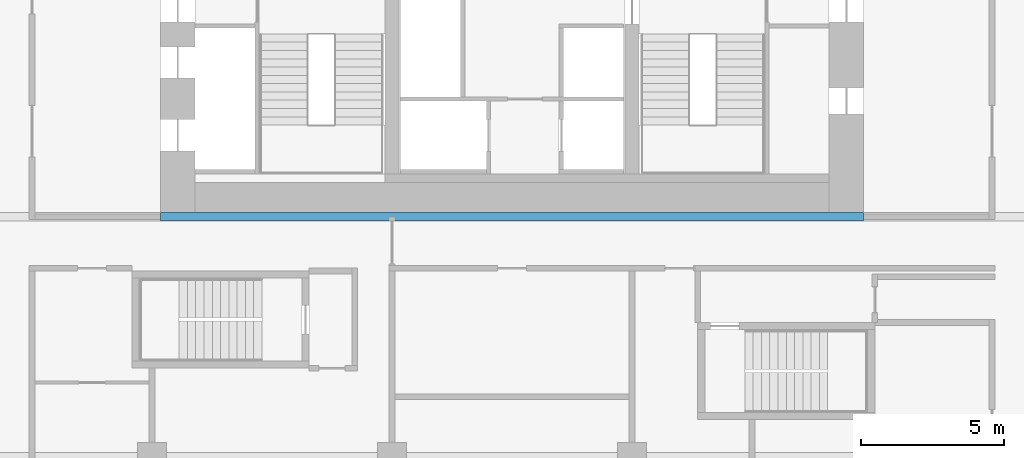
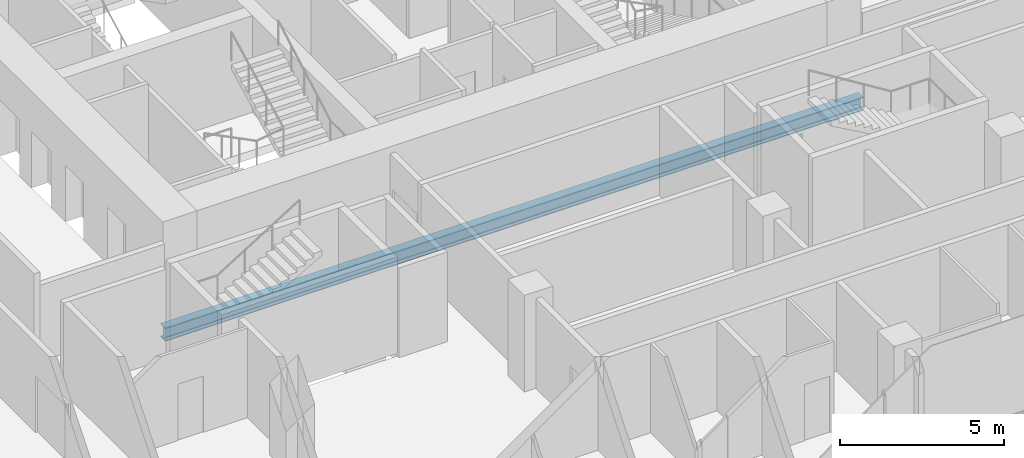
# One storey, part 5 of 26: 1 beam.
"""IFC4 building model written with IfcOpenShell, lengths in metres."""

from ifc_helpers import new_model, si_unit, direction, frame, origin, origin_2d, place, context, subcontext, project, spatial, i_section, extrude, material, material_profile, profile_set, type_object, element, save


model = new_model("IFC4")

# Units and contexts
model_context = context("Model", 3, precision=1e-05, world=origin(), true_north=direction((0.0, 1.0)))
body_context = subcontext(model_context, "Body", "Model", "MODEL_VIEW")
ifc_project = project(units=[si_unit("LENGTHUNIT", "METRE"), si_unit("AREAUNIT", "SQUARE_METRE"), si_unit("VOLUMEUNIT", "CUBIC_METRE"), si_unit("PLANEANGLEUNIT", "RADIAN"), si_unit("MASSUNIT", "GRAM", prefix="KILO")], contexts=[model_context])

# Site, building, storey
site_placement = place(None, origin())
site = spatial("IfcSite", under=ifc_project, at=site_placement, CompositionType="ELEMENT")
building_placement = place(site_placement, origin())
building = spatial("IfcBuilding", under=site, at=building_placement, Name="Marenta Gate Hotel Tower", CompositionType="ELEMENT")
storey_placement = place(building_placement, frame((0.0, 0.0, 79.699951171875)))
storey = spatial("IfcBuildingStorey", under=building, at=storey_placement, Name="L18", CompositionType="ELEMENT", Elevation=79.699951171875)

# Beam
ifc_material = material(Name="Steel S355", Category="steel")
ifc_material_profile = material_profile(ifc_material, i_section(OverallWidth=0.300048828125, OverallDepth=0.5, WebThickness=0.014404296875, FlangeThickness=0.028076171875, FilletRadius=0.027099609375, at=origin_2d()), Name="HEB 500")
ifc_profile_set = profile_set([ifc_material_profile], Name="Steel S355")
beam_type = type_object("IfcBeamType", Name="Girder HEB 500", PredefinedType="BEAM", material=ifc_profile_set)
beam_placement = place(storey_placement, frame((-12.300048828125, 0.0, -0.510009765625), z_axis=(1.0, 0.0, 0.0), x_axis=(0.0, 1.0, 0.0)))
element("IfcBeam", 1, at=beam_placement, inside=storey, type_object=beam_type, Name="L18-GD-10", PredefinedType="BEAM", context=body_context, shape_type="SweptSolid", body=[
    extrude(i_section(OverallWidth=0.300048828125, OverallDepth=0.5, WebThickness=0.014404296875, FlangeThickness=0.028076171875, FilletRadius=0.027099609375, at=origin_2d()), origin(), (0.0, 0.0, 1.0), 24.60009765625),
])

save(model, "model.ifc")
